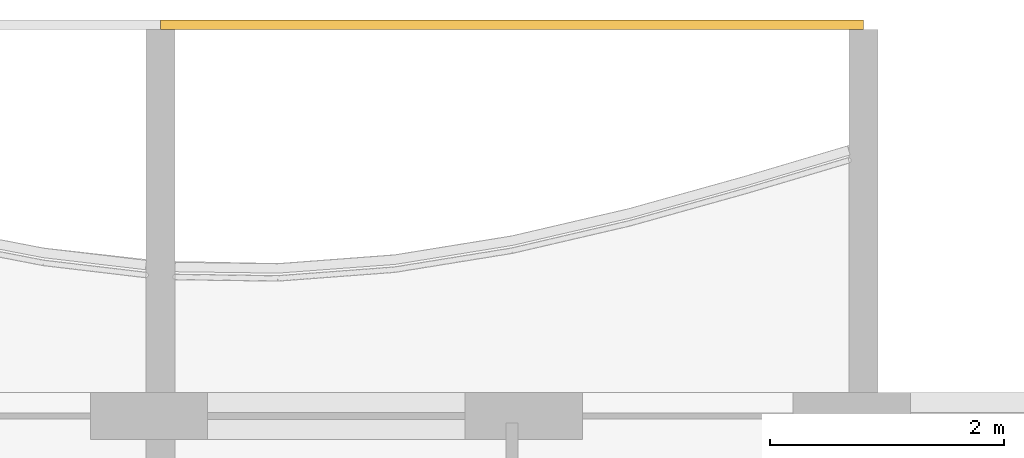
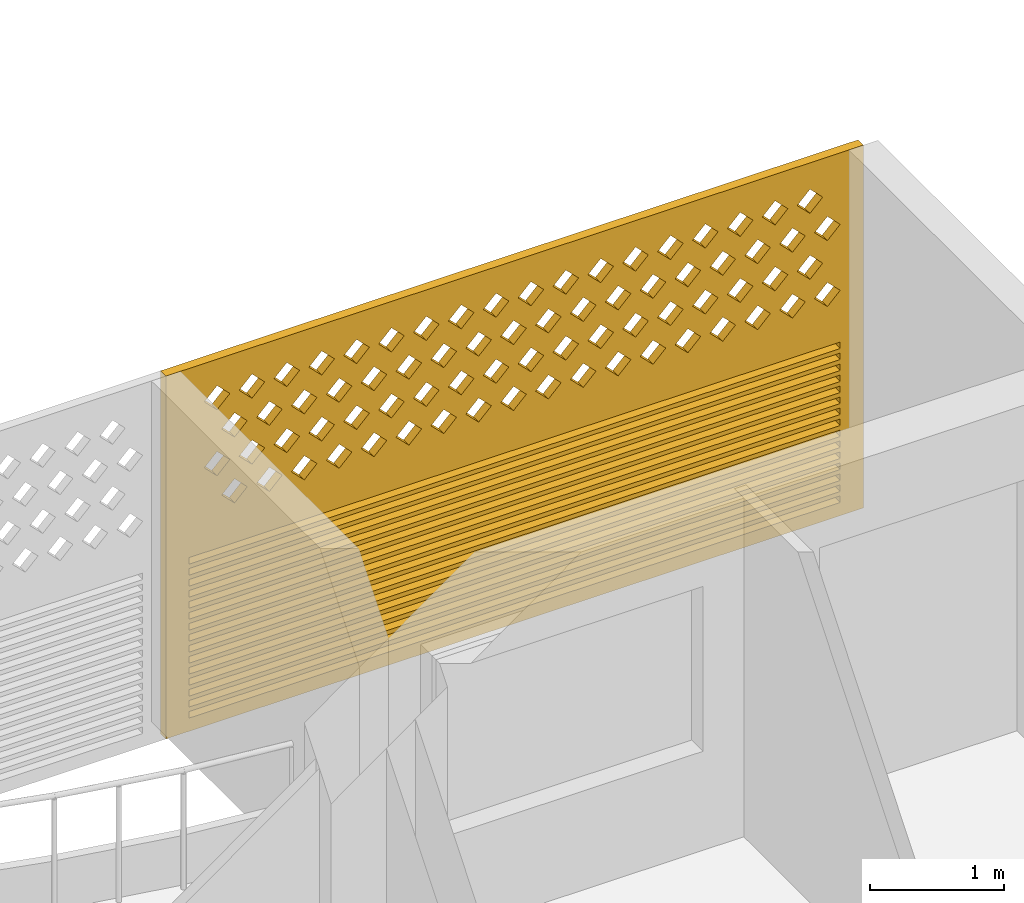
# One storey, part 22 of 26: 1 covering.
"""IFC4 building model written with IfcOpenShell, lengths in metres."""

from ifc_helpers import new_model, si_unit, direction, frame, origin, place, context, subcontext, project, spatial, polyline, outline, extrude, source, transform, mapped, material, material_profile, profile_set, type_object, element, save


model = new_model("IFC4")

# Units and contexts
model_context = context("Model", 3, precision=1e-05, world=origin(), true_north=direction((0.0, 1.0)))
body_context = subcontext(model_context, "Body", "Model", "MODEL_VIEW")
ifc_project = project(units=[si_unit("LENGTHUNIT", "METRE"), si_unit("AREAUNIT", "SQUARE_METRE"), si_unit("VOLUMEUNIT", "CUBIC_METRE"), si_unit("PLANEANGLEUNIT", "RADIAN"), si_unit("MASSUNIT", "GRAM", prefix="KILO")], contexts=[model_context])

# Site, building, storey
site_placement = place(None, origin())
site = spatial("IfcSite", under=ifc_project, at=site_placement, CompositionType="ELEMENT")
building_placement = place(site_placement, origin())
building = spatial("IfcBuilding", under=site, at=building_placement, Name="Poui Terraces", CompositionType="ELEMENT")
storey_placement = place(building_placement, frame((0.0, 0.0, 178.5)))
storey = spatial("IfcBuildingStorey", under=building, at=storey_placement, Name="L49", CompositionType="ELEMENT", Elevation=178.5)

# Covering
ifc_material = material(Name="Terracotta screen", Category="masonry")
ifc_material_profile = material_profile(ifc_material, outline(polyline([(-3.0, -1.64990234375), (3.0, -1.64990234375), (3.0, 1.64990234375), (-3.0, 1.64990234375), (-3.0, -1.64990234375)]), holes=[polyline([(-2.800048828125, 0.39990234375), (-2.68994140625, 0.2900390625), (-2.580078125, 0.39990234375), (-2.68994140625, 0.510009765625), (-2.800048828125, 0.39990234375)]), polyline([(-2.5, 0.39990234375), (-2.389892578125, 0.2900390625), (-2.280029296875, 0.39990234375), (-2.389892578125, 0.510009765625), (-2.5, 0.39990234375)]), polyline([(-2.199951171875, 0.39990234375), (-2.090087890625, 0.2900390625), (-1.97998046875, 0.39990234375), (-2.090087890625, 0.510009765625), (-2.199951171875, 0.39990234375)]), polyline([(-1.89990234375, 0.39990234375), (-1.7900390625, 0.2900390625), (-1.679931640625, 0.39990234375), (-1.7900390625, 0.510009765625), (-1.89990234375, 0.39990234375)]), polyline([(-1.60009765625, 0.39990234375), (-1.489990234375, 0.2900390625), (-1.3798828125, 0.39990234375), (-1.489990234375, 0.510009765625), (-1.60009765625, 0.39990234375)]), polyline([(-1.300048828125, 0.39990234375), (-1.18994140625, 0.2900390625), (-1.080078125, 0.39990234375), (-1.18994140625, 0.510009765625), (-1.300048828125, 0.39990234375)]), polyline([(-1.0, 0.39990234375), (-0.889892578125, 0.2900390625), (-0.780029296875, 0.39990234375), (-0.889892578125, 0.510009765625), (-1.0, 0.39990234375)]), polyline([(-0.699951171875, 0.39990234375), (-0.590087890625, 0.2900390625), (-0.47998046875, 0.39990234375), (-0.590087890625, 0.510009765625), (-0.699951171875, 0.39990234375)]), polyline([(-0.39990234375, 0.39990234375), (-0.2900390625, 0.2900390625), (-0.179931640625, 0.39990234375), (-0.2900390625, 0.510009765625), (-0.39990234375, 0.39990234375)]), polyline([(-0.10009765625, 0.39990234375), (0.010009765625, 0.2900390625), (0.1201171875, 0.39990234375), (0.010009765625, 0.510009765625), (-0.10009765625, 0.39990234375)]), polyline([(0.199951171875, 0.39990234375), (0.31005859375, 0.2900390625), (0.419921875, 0.39990234375), (0.31005859375, 0.510009765625), (0.199951171875, 0.39990234375)]), polyline([(0.5, 0.39990234375), (0.610107421875, 0.2900390625), (0.719970703125, 0.39990234375), (0.610107421875, 0.510009765625), (0.5, 0.39990234375)]), polyline([(0.800048828125, 0.39990234375), (0.909912109375, 0.2900390625), (1.02001953125, 0.39990234375), (0.909912109375, 0.510009765625), (0.800048828125, 0.39990234375)]), polyline([(1.10009765625, 0.39990234375), (1.2099609375, 0.2900390625), (1.320068359375, 0.39990234375), (1.2099609375, 0.510009765625), (1.10009765625, 0.39990234375)]), polyline([(1.39990234375, 0.39990234375), (1.510009765625, 0.2900390625), (1.6201171875, 0.39990234375), (1.510009765625, 0.510009765625), (1.39990234375, 0.39990234375)]), polyline([(1.699951171875, 0.39990234375), (1.81005859375, 0.2900390625), (1.919921875, 0.39990234375), (1.81005859375, 0.510009765625), (1.699951171875, 0.39990234375)]), polyline([(2.0, 0.39990234375), (2.110107421875, 0.2900390625), (2.219970703125, 0.39990234375), (2.110107421875, 0.510009765625), (2.0, 0.39990234375)]), polyline([(2.300048828125, 0.39990234375), (2.409912109375, 0.2900390625), (2.52001953125, 0.39990234375), (2.409912109375, 0.510009765625), (2.300048828125, 0.39990234375)]), polyline([(-2.64990234375, 0.699951171875), (-2.5400390625, 0.590087890625), (-2.429931640625, 0.699951171875), (-2.5400390625, 0.81005859375), (-2.64990234375, 0.699951171875)]), polyline([(-2.35009765625, 0.699951171875), (-2.239990234375, 0.590087890625), (-2.1298828125, 0.699951171875), (-2.239990234375, 0.81005859375), (-2.35009765625, 0.699951171875)]), polyline([(-2.050048828125, 0.699951171875), (-1.93994140625, 0.590087890625), (-1.830078125, 0.699951171875), (-1.93994140625, 0.81005859375), (-2.050048828125, 0.699951171875)]), polyline([(-1.75, 0.699951171875), (-1.639892578125, 0.590087890625), (-1.530029296875, 0.699951171875), (-1.639892578125, 0.81005859375), (-1.75, 0.699951171875)]), polyline([(-1.449951171875, 0.699951171875), (-1.340087890625, 0.590087890625), (-1.22998046875, 0.699951171875), (-1.340087890625, 0.81005859375), (-1.449951171875, 0.699951171875)]), polyline([(-1.14990234375, 0.699951171875), (-1.0400390625, 0.590087890625), (-0.929931640625, 0.699951171875), (-1.0400390625, 0.81005859375), (-1.14990234375, 0.699951171875)]), polyline([(-0.85009765625, 0.699951171875), (-0.739990234375, 0.590087890625), (-0.6298828125, 0.699951171875), (-0.739990234375, 0.81005859375), (-0.85009765625, 0.699951171875)]), polyline([(-0.550048828125, 0.699951171875), (-0.43994140625, 0.590087890625), (-0.330078125, 0.699951171875), (-0.43994140625, 0.81005859375), (-0.550048828125, 0.699951171875)]), polyline([(-0.25, 0.699951171875), (-0.139892578125, 0.590087890625), (-0.030029296875, 0.699951171875), (-0.139892578125, 0.81005859375), (-0.25, 0.699951171875)]), polyline([(0.050048828125, 0.699951171875), (0.159912109375, 0.590087890625), (0.27001953125, 0.699951171875), (0.159912109375, 0.81005859375), (0.050048828125, 0.699951171875)]), polyline([(0.35009765625, 0.699951171875), (0.4599609375, 0.590087890625), (0.570068359375, 0.699951171875), (0.4599609375, 0.81005859375), (0.35009765625, 0.699951171875)]), polyline([(0.64990234375, 0.699951171875), (0.760009765625, 0.590087890625), (0.8701171875, 0.699951171875), (0.760009765625, 0.81005859375), (0.64990234375, 0.699951171875)]), polyline([(0.949951171875, 0.699951171875), (1.06005859375, 0.590087890625), (1.169921875, 0.699951171875), (1.06005859375, 0.81005859375), (0.949951171875, 0.699951171875)]), polyline([(1.25, 0.699951171875), (1.360107421875, 0.590087890625), (1.469970703125, 0.699951171875), (1.360107421875, 0.81005859375), (1.25, 0.699951171875)]), polyline([(1.550048828125, 0.699951171875), (1.659912109375, 0.590087890625), (1.77001953125, 0.699951171875), (1.659912109375, 0.81005859375), (1.550048828125, 0.699951171875)]), polyline([(1.85009765625, 0.699951171875), (1.9599609375, 0.590087890625), (2.070068359375, 0.699951171875), (1.9599609375, 0.81005859375), (1.85009765625, 0.699951171875)]), polyline([(2.14990234375, 0.699951171875), (2.260009765625, 0.590087890625), (2.3701171875, 0.699951171875), (2.260009765625, 0.81005859375), (2.14990234375, 0.699951171875)]), polyline([(2.449951171875, 0.699951171875), (2.56005859375, 0.590087890625), (2.669921875, 0.699951171875), (2.56005859375, 0.81005859375), (2.449951171875, 0.699951171875)]), polyline([(-2.800048828125, 1.0), (-2.68994140625, 0.889892578125), (-2.580078125, 1.0), (-2.68994140625, 1.110107421875), (-2.800048828125, 1.0)]), polyline([(-2.5, 1.0), (-2.389892578125, 0.889892578125), (-2.280029296875, 1.0), (-2.389892578125, 1.110107421875), (-2.5, 1.0)]), polyline([(-2.199951171875, 1.0), (-2.090087890625, 0.889892578125), (-1.97998046875, 1.0), (-2.090087890625, 1.110107421875), (-2.199951171875, 1.0)]), polyline([(-1.89990234375, 1.0), (-1.7900390625, 0.889892578125), (-1.679931640625, 1.0), (-1.7900390625, 1.110107421875), (-1.89990234375, 1.0)]), polyline([(-1.60009765625, 1.0), (-1.489990234375, 0.889892578125), (-1.3798828125, 1.0), (-1.489990234375, 1.110107421875), (-1.60009765625, 1.0)]), polyline([(-1.300048828125, 1.0), (-1.18994140625, 0.889892578125), (-1.080078125, 1.0), (-1.18994140625, 1.110107421875), (-1.300048828125, 1.0)]), polyline([(-1.0, 1.0), (-0.889892578125, 0.889892578125), (-0.780029296875, 1.0), (-0.889892578125, 1.110107421875), (-1.0, 1.0)]), polyline([(-0.699951171875, 1.0), (-0.590087890625, 0.889892578125), (-0.47998046875, 1.0), (-0.590087890625, 1.110107421875), (-0.699951171875, 1.0)]), polyline([(-0.39990234375, 1.0), (-0.2900390625, 0.889892578125), (-0.179931640625, 1.0), (-0.2900390625, 1.110107421875), (-0.39990234375, 1.0)]), polyline([(-0.10009765625, 1.0), (0.010009765625, 0.889892578125), (0.1201171875, 1.0), (0.010009765625, 1.110107421875), (-0.10009765625, 1.0)]), polyline([(0.199951171875, 1.0), (0.31005859375, 0.889892578125), (0.419921875, 1.0), (0.31005859375, 1.110107421875), (0.199951171875, 1.0)]), polyline([(0.5, 1.0), (0.610107421875, 0.889892578125), (0.719970703125, 1.0), (0.610107421875, 1.110107421875), (0.5, 1.0)]), polyline([(0.800048828125, 1.0), (0.909912109375, 0.889892578125), (1.02001953125, 1.0), (0.909912109375, 1.110107421875), (0.800048828125, 1.0)]), polyline([(1.10009765625, 1.0), (1.2099609375, 0.889892578125), (1.320068359375, 1.0), (1.2099609375, 1.110107421875), (1.10009765625, 1.0)]), polyline([(1.39990234375, 1.0), (1.510009765625, 0.889892578125), (1.6201171875, 1.0), (1.510009765625, 1.110107421875), (1.39990234375, 1.0)]), polyline([(1.699951171875, 1.0), (1.81005859375, 0.889892578125), (1.919921875, 1.0), (1.81005859375, 1.110107421875), (1.699951171875, 1.0)]), polyline([(2.0, 1.0), (2.110107421875, 0.889892578125), (2.219970703125, 1.0), (2.110107421875, 1.110107421875), (2.0, 1.0)]), polyline([(2.300048828125, 1.0), (2.409912109375, 0.889892578125), (2.52001953125, 1.0), (2.409912109375, 1.110107421875), (2.300048828125, 1.0)]), polyline([(-2.64990234375, 1.300048828125), (-2.5400390625, 1.18994140625), (-2.429931640625, 1.300048828125), (-2.5400390625, 1.409912109375), (-2.64990234375, 1.300048828125)]), polyline([(-2.35009765625, 1.300048828125), (-2.239990234375, 1.18994140625), (-2.1298828125, 1.300048828125), (-2.239990234375, 1.409912109375), (-2.35009765625, 1.300048828125)]), polyline([(-2.050048828125, 1.300048828125), (-1.93994140625, 1.18994140625), (-1.830078125, 1.300048828125), (-1.93994140625, 1.409912109375), (-2.050048828125, 1.300048828125)]), polyline([(-1.75, 1.300048828125), (-1.639892578125, 1.18994140625), (-1.530029296875, 1.300048828125), (-1.639892578125, 1.409912109375), (-1.75, 1.300048828125)]), polyline([(-1.449951171875, 1.300048828125), (-1.340087890625, 1.18994140625), (-1.22998046875, 1.300048828125), (-1.340087890625, 1.409912109375), (-1.449951171875, 1.300048828125)]), polyline([(-1.14990234375, 1.300048828125), (-1.0400390625, 1.18994140625), (-0.929931640625, 1.300048828125), (-1.0400390625, 1.409912109375), (-1.14990234375, 1.300048828125)]), polyline([(-0.85009765625, 1.300048828125), (-0.739990234375, 1.18994140625), (-0.6298828125, 1.300048828125), (-0.739990234375, 1.409912109375), (-0.85009765625, 1.300048828125)]), polyline([(-0.550048828125, 1.300048828125), (-0.43994140625, 1.18994140625), (-0.330078125, 1.300048828125), (-0.43994140625, 1.409912109375), (-0.550048828125, 1.300048828125)]), polyline([(-0.25, 1.300048828125), (-0.139892578125, 1.18994140625), (-0.030029296875, 1.300048828125), (-0.139892578125, 1.409912109375), (-0.25, 1.300048828125)]), polyline([(0.050048828125, 1.300048828125), (0.159912109375, 1.18994140625), (0.27001953125, 1.300048828125), (0.159912109375, 1.409912109375), (0.050048828125, 1.300048828125)]), polyline([(0.35009765625, 1.300048828125), (0.4599609375, 1.18994140625), (0.570068359375, 1.300048828125), (0.4599609375, 1.409912109375), (0.35009765625, 1.300048828125)]), polyline([(0.64990234375, 1.300048828125), (0.760009765625, 1.18994140625), (0.8701171875, 1.300048828125), (0.760009765625, 1.409912109375), (0.64990234375, 1.300048828125)]), polyline([(0.949951171875, 1.300048828125), (1.06005859375, 1.18994140625), (1.169921875, 1.300048828125), (1.06005859375, 1.409912109375), (0.949951171875, 1.300048828125)]), polyline([(1.25, 1.300048828125), (1.360107421875, 1.18994140625), (1.469970703125, 1.300048828125), (1.360107421875, 1.409912109375), (1.25, 1.300048828125)]), polyline([(1.550048828125, 1.300048828125), (1.659912109375, 1.18994140625), (1.77001953125, 1.300048828125), (1.659912109375, 1.409912109375), (1.550048828125, 1.300048828125)]), polyline([(1.85009765625, 1.300048828125), (1.9599609375, 1.18994140625), (2.070068359375, 1.300048828125), (1.9599609375, 1.409912109375), (1.85009765625, 1.300048828125)]), polyline([(2.14990234375, 1.300048828125), (2.260009765625, 1.18994140625), (2.3701171875, 1.300048828125), (2.260009765625, 1.409912109375), (2.14990234375, 1.300048828125)]), polyline([(2.449951171875, 1.300048828125), (2.56005859375, 1.18994140625), (2.669921875, 1.300048828125), (2.56005859375, 1.409912109375), (2.449951171875, 1.300048828125)]), polyline([(-2.800048828125, -1.530029296875), (2.800048828125, -1.530029296875), (2.800048828125, -1.469970703125), (-2.800048828125, -1.469970703125), (-2.800048828125, -1.530029296875)]), polyline([(-2.800048828125, -1.429931640625), (2.800048828125, -1.429931640625), (2.800048828125, -1.3701171875), (-2.800048828125, -1.3701171875), (-2.800048828125, -1.429931640625)]), polyline([(-2.800048828125, -1.330078125), (2.800048828125, -1.330078125), (2.800048828125, -1.27001953125), (-2.800048828125, -1.27001953125), (-2.800048828125, -1.330078125)]), polyline([(-2.800048828125, -1.22998046875), (2.800048828125, -1.22998046875), (2.800048828125, -1.169921875), (-2.800048828125, -1.169921875), (-2.800048828125, -1.22998046875)]), polyline([(-2.800048828125, -1.1298828125), (2.800048828125, -1.1298828125), (2.800048828125, -1.070068359375), (-2.800048828125, -1.070068359375), (-2.800048828125, -1.1298828125)]), polyline([(-2.800048828125, -1.030029296875), (2.800048828125, -1.030029296875), (2.800048828125, -0.969970703125), (-2.800048828125, -0.969970703125), (-2.800048828125, -1.030029296875)]), polyline([(-2.800048828125, -0.929931640625), (2.800048828125, -0.929931640625), (2.800048828125, -0.8701171875), (-2.800048828125, -0.8701171875), (-2.800048828125, -0.929931640625)]), polyline([(-2.800048828125, -0.830078125), (2.800048828125, -0.830078125), (2.800048828125, -0.77001953125), (-2.800048828125, -0.77001953125), (-2.800048828125, -0.830078125)]), polyline([(-2.800048828125, -0.72998046875), (2.800048828125, -0.72998046875), (2.800048828125, -0.669921875), (-2.800048828125, -0.669921875), (-2.800048828125, -0.72998046875)]), polyline([(-2.800048828125, -0.6298828125), (2.800048828125, -0.6298828125), (2.800048828125, -0.570068359375), (-2.800048828125, -0.570068359375), (-2.800048828125, -0.6298828125)]), polyline([(-2.800048828125, -0.530029296875), (2.800048828125, -0.530029296875), (2.800048828125, -0.469970703125), (-2.800048828125, -0.469970703125), (-2.800048828125, -0.530029296875)]), polyline([(-2.800048828125, -0.429931640625), (2.800048828125, -0.429931640625), (2.800048828125, -0.3701171875), (-2.800048828125, -0.3701171875), (-2.800048828125, -0.429931640625)]), polyline([(-2.800048828125, -0.330078125), (2.800048828125, -0.330078125), (2.800048828125, -0.27001953125), (-2.800048828125, -0.27001953125), (-2.800048828125, -0.330078125)]), polyline([(-2.800048828125, -0.22998046875), (2.800048828125, -0.22998046875), (2.800048828125, -0.169921875), (-2.800048828125, -0.169921875), (-2.800048828125, -0.22998046875)]), polyline([(-2.800048828125, -0.1298828125), (2.800048828125, -0.1298828125), (2.800048828125, -0.070068359375), (-2.800048828125, -0.070068359375), (-2.800048828125, -0.1298828125)])]), Name="TERRACOTTA SCREEN AND JALOUSIE LOUVRE 6000X3300")
ifc_profile_set = profile_set([ifc_material_profile], Name="Terracotta screen")
covering_type = type_object("IfcCoveringType", Name="TERRACOTTA SCREEN AND JALOUSIE LOUVRE 6000X3300", PredefinedType="CLADDING", material=ifc_profile_set)
shared_shape = source(origin(), body_context, "Body", "SweptSolid", [
    extrude(outline(polyline([(-3.0, -1.64990234375), (3.0, -1.64990234375), (3.0, 1.64990234375), (-3.0, 1.64990234375), (-3.0, -1.64990234375)]), holes=[polyline([(-2.800048828125, 0.39990234375), (-2.68994140625, 0.2900390625), (-2.580078125, 0.39990234375), (-2.68994140625, 0.510009765625), (-2.800048828125, 0.39990234375)]), polyline([(-2.5, 0.39990234375), (-2.389892578125, 0.2900390625), (-2.280029296875, 0.39990234375), (-2.389892578125, 0.510009765625), (-2.5, 0.39990234375)]), polyline([(-2.199951171875, 0.39990234375), (-2.090087890625, 0.2900390625), (-1.97998046875, 0.39990234375), (-2.090087890625, 0.510009765625), (-2.199951171875, 0.39990234375)]), polyline([(-1.89990234375, 0.39990234375), (-1.7900390625, 0.2900390625), (-1.679931640625, 0.39990234375), (-1.7900390625, 0.510009765625), (-1.89990234375, 0.39990234375)]), polyline([(-1.60009765625, 0.39990234375), (-1.489990234375, 0.2900390625), (-1.3798828125, 0.39990234375), (-1.489990234375, 0.510009765625), (-1.60009765625, 0.39990234375)]), polyline([(-1.300048828125, 0.39990234375), (-1.18994140625, 0.2900390625), (-1.080078125, 0.39990234375), (-1.18994140625, 0.510009765625), (-1.300048828125, 0.39990234375)]), polyline([(-1.0, 0.39990234375), (-0.889892578125, 0.2900390625), (-0.780029296875, 0.39990234375), (-0.889892578125, 0.510009765625), (-1.0, 0.39990234375)]), polyline([(-0.699951171875, 0.39990234375), (-0.590087890625, 0.2900390625), (-0.47998046875, 0.39990234375), (-0.590087890625, 0.510009765625), (-0.699951171875, 0.39990234375)]), polyline([(-0.39990234375, 0.39990234375), (-0.2900390625, 0.2900390625), (-0.179931640625, 0.39990234375), (-0.2900390625, 0.510009765625), (-0.39990234375, 0.39990234375)]), polyline([(-0.10009765625, 0.39990234375), (0.010009765625, 0.2900390625), (0.1201171875, 0.39990234375), (0.010009765625, 0.510009765625), (-0.10009765625, 0.39990234375)]), polyline([(0.199951171875, 0.39990234375), (0.31005859375, 0.2900390625), (0.419921875, 0.39990234375), (0.31005859375, 0.510009765625), (0.199951171875, 0.39990234375)]), polyline([(0.5, 0.39990234375), (0.610107421875, 0.2900390625), (0.719970703125, 0.39990234375), (0.610107421875, 0.510009765625), (0.5, 0.39990234375)]), polyline([(0.800048828125, 0.39990234375), (0.909912109375, 0.2900390625), (1.02001953125, 0.39990234375), (0.909912109375, 0.510009765625), (0.800048828125, 0.39990234375)]), polyline([(1.10009765625, 0.39990234375), (1.2099609375, 0.2900390625), (1.320068359375, 0.39990234375), (1.2099609375, 0.510009765625), (1.10009765625, 0.39990234375)]), polyline([(1.39990234375, 0.39990234375), (1.510009765625, 0.2900390625), (1.6201171875, 0.39990234375), (1.510009765625, 0.510009765625), (1.39990234375, 0.39990234375)]), polyline([(1.699951171875, 0.39990234375), (1.81005859375, 0.2900390625), (1.919921875, 0.39990234375), (1.81005859375, 0.510009765625), (1.699951171875, 0.39990234375)]), polyline([(2.0, 0.39990234375), (2.110107421875, 0.2900390625), (2.219970703125, 0.39990234375), (2.110107421875, 0.510009765625), (2.0, 0.39990234375)]), polyline([(2.300048828125, 0.39990234375), (2.409912109375, 0.2900390625), (2.52001953125, 0.39990234375), (2.409912109375, 0.510009765625), (2.300048828125, 0.39990234375)]), polyline([(-2.64990234375, 0.699951171875), (-2.5400390625, 0.590087890625), (-2.429931640625, 0.699951171875), (-2.5400390625, 0.81005859375), (-2.64990234375, 0.699951171875)]), polyline([(-2.35009765625, 0.699951171875), (-2.239990234375, 0.590087890625), (-2.1298828125, 0.699951171875), (-2.239990234375, 0.81005859375), (-2.35009765625, 0.699951171875)]), polyline([(-2.050048828125, 0.699951171875), (-1.93994140625, 0.590087890625), (-1.830078125, 0.699951171875), (-1.93994140625, 0.81005859375), (-2.050048828125, 0.699951171875)]), polyline([(-1.75, 0.699951171875), (-1.639892578125, 0.590087890625), (-1.530029296875, 0.699951171875), (-1.639892578125, 0.81005859375), (-1.75, 0.699951171875)]), polyline([(-1.449951171875, 0.699951171875), (-1.340087890625, 0.590087890625), (-1.22998046875, 0.699951171875), (-1.340087890625, 0.81005859375), (-1.449951171875, 0.699951171875)]), polyline([(-1.14990234375, 0.699951171875), (-1.0400390625, 0.590087890625), (-0.929931640625, 0.699951171875), (-1.0400390625, 0.81005859375), (-1.14990234375, 0.699951171875)]), polyline([(-0.85009765625, 0.699951171875), (-0.739990234375, 0.590087890625), (-0.6298828125, 0.699951171875), (-0.739990234375, 0.81005859375), (-0.85009765625, 0.699951171875)]), polyline([(-0.550048828125, 0.699951171875), (-0.43994140625, 0.590087890625), (-0.330078125, 0.699951171875), (-0.43994140625, 0.81005859375), (-0.550048828125, 0.699951171875)]), polyline([(-0.25, 0.699951171875), (-0.139892578125, 0.590087890625), (-0.030029296875, 0.699951171875), (-0.139892578125, 0.81005859375), (-0.25, 0.699951171875)]), polyline([(0.050048828125, 0.699951171875), (0.159912109375, 0.590087890625), (0.27001953125, 0.699951171875), (0.159912109375, 0.81005859375), (0.050048828125, 0.699951171875)]), polyline([(0.35009765625, 0.699951171875), (0.4599609375, 0.590087890625), (0.570068359375, 0.699951171875), (0.4599609375, 0.81005859375), (0.35009765625, 0.699951171875)]), polyline([(0.64990234375, 0.699951171875), (0.760009765625, 0.590087890625), (0.8701171875, 0.699951171875), (0.760009765625, 0.81005859375), (0.64990234375, 0.699951171875)]), polyline([(0.949951171875, 0.699951171875), (1.06005859375, 0.590087890625), (1.169921875, 0.699951171875), (1.06005859375, 0.81005859375), (0.949951171875, 0.699951171875)]), polyline([(1.25, 0.699951171875), (1.360107421875, 0.590087890625), (1.469970703125, 0.699951171875), (1.360107421875, 0.81005859375), (1.25, 0.699951171875)]), polyline([(1.550048828125, 0.699951171875), (1.659912109375, 0.590087890625), (1.77001953125, 0.699951171875), (1.659912109375, 0.81005859375), (1.550048828125, 0.699951171875)]), polyline([(1.85009765625, 0.699951171875), (1.9599609375, 0.590087890625), (2.070068359375, 0.699951171875), (1.9599609375, 0.81005859375), (1.85009765625, 0.699951171875)]), polyline([(2.14990234375, 0.699951171875), (2.260009765625, 0.590087890625), (2.3701171875, 0.699951171875), (2.260009765625, 0.81005859375), (2.14990234375, 0.699951171875)]), polyline([(2.449951171875, 0.699951171875), (2.56005859375, 0.590087890625), (2.669921875, 0.699951171875), (2.56005859375, 0.81005859375), (2.449951171875, 0.699951171875)]), polyline([(-2.800048828125, 1.0), (-2.68994140625, 0.889892578125), (-2.580078125, 1.0), (-2.68994140625, 1.110107421875), (-2.800048828125, 1.0)]), polyline([(-2.5, 1.0), (-2.389892578125, 0.889892578125), (-2.280029296875, 1.0), (-2.389892578125, 1.110107421875), (-2.5, 1.0)]), polyline([(-2.199951171875, 1.0), (-2.090087890625, 0.889892578125), (-1.97998046875, 1.0), (-2.090087890625, 1.110107421875), (-2.199951171875, 1.0)]), polyline([(-1.89990234375, 1.0), (-1.7900390625, 0.889892578125), (-1.679931640625, 1.0), (-1.7900390625, 1.110107421875), (-1.89990234375, 1.0)]), polyline([(-1.60009765625, 1.0), (-1.489990234375, 0.889892578125), (-1.3798828125, 1.0), (-1.489990234375, 1.110107421875), (-1.60009765625, 1.0)]), polyline([(-1.300048828125, 1.0), (-1.18994140625, 0.889892578125), (-1.080078125, 1.0), (-1.18994140625, 1.110107421875), (-1.300048828125, 1.0)]), polyline([(-1.0, 1.0), (-0.889892578125, 0.889892578125), (-0.780029296875, 1.0), (-0.889892578125, 1.110107421875), (-1.0, 1.0)]), polyline([(-0.699951171875, 1.0), (-0.590087890625, 0.889892578125), (-0.47998046875, 1.0), (-0.590087890625, 1.110107421875), (-0.699951171875, 1.0)]), polyline([(-0.39990234375, 1.0), (-0.2900390625, 0.889892578125), (-0.179931640625, 1.0), (-0.2900390625, 1.110107421875), (-0.39990234375, 1.0)]), polyline([(-0.10009765625, 1.0), (0.010009765625, 0.889892578125), (0.1201171875, 1.0), (0.010009765625, 1.110107421875), (-0.10009765625, 1.0)]), polyline([(0.199951171875, 1.0), (0.31005859375, 0.889892578125), (0.419921875, 1.0), (0.31005859375, 1.110107421875), (0.199951171875, 1.0)]), polyline([(0.5, 1.0), (0.610107421875, 0.889892578125), (0.719970703125, 1.0), (0.610107421875, 1.110107421875), (0.5, 1.0)]), polyline([(0.800048828125, 1.0), (0.909912109375, 0.889892578125), (1.02001953125, 1.0), (0.909912109375, 1.110107421875), (0.800048828125, 1.0)]), polyline([(1.10009765625, 1.0), (1.2099609375, 0.889892578125), (1.320068359375, 1.0), (1.2099609375, 1.110107421875), (1.10009765625, 1.0)]), polyline([(1.39990234375, 1.0), (1.510009765625, 0.889892578125), (1.6201171875, 1.0), (1.510009765625, 1.110107421875), (1.39990234375, 1.0)]), polyline([(1.699951171875, 1.0), (1.81005859375, 0.889892578125), (1.919921875, 1.0), (1.81005859375, 1.110107421875), (1.699951171875, 1.0)]), polyline([(2.0, 1.0), (2.110107421875, 0.889892578125), (2.219970703125, 1.0), (2.110107421875, 1.110107421875), (2.0, 1.0)]), polyline([(2.300048828125, 1.0), (2.409912109375, 0.889892578125), (2.52001953125, 1.0), (2.409912109375, 1.110107421875), (2.300048828125, 1.0)]), polyline([(-2.64990234375, 1.300048828125), (-2.5400390625, 1.18994140625), (-2.429931640625, 1.300048828125), (-2.5400390625, 1.409912109375), (-2.64990234375, 1.300048828125)]), polyline([(-2.35009765625, 1.300048828125), (-2.239990234375, 1.18994140625), (-2.1298828125, 1.300048828125), (-2.239990234375, 1.409912109375), (-2.35009765625, 1.300048828125)]), polyline([(-2.050048828125, 1.300048828125), (-1.93994140625, 1.18994140625), (-1.830078125, 1.300048828125), (-1.93994140625, 1.409912109375), (-2.050048828125, 1.300048828125)]), polyline([(-1.75, 1.300048828125), (-1.639892578125, 1.18994140625), (-1.530029296875, 1.300048828125), (-1.639892578125, 1.409912109375), (-1.75, 1.300048828125)]), polyline([(-1.449951171875, 1.300048828125), (-1.340087890625, 1.18994140625), (-1.22998046875, 1.300048828125), (-1.340087890625, 1.409912109375), (-1.449951171875, 1.300048828125)]), polyline([(-1.14990234375, 1.300048828125), (-1.0400390625, 1.18994140625), (-0.929931640625, 1.300048828125), (-1.0400390625, 1.409912109375), (-1.14990234375, 1.300048828125)]), polyline([(-0.85009765625, 1.300048828125), (-0.739990234375, 1.18994140625), (-0.6298828125, 1.300048828125), (-0.739990234375, 1.409912109375), (-0.85009765625, 1.300048828125)]), polyline([(-0.550048828125, 1.300048828125), (-0.43994140625, 1.18994140625), (-0.330078125, 1.300048828125), (-0.43994140625, 1.409912109375), (-0.550048828125, 1.300048828125)]), polyline([(-0.25, 1.300048828125), (-0.139892578125, 1.18994140625), (-0.030029296875, 1.300048828125), (-0.139892578125, 1.409912109375), (-0.25, 1.300048828125)]), polyline([(0.050048828125, 1.300048828125), (0.159912109375, 1.18994140625), (0.27001953125, 1.300048828125), (0.159912109375, 1.409912109375), (0.050048828125, 1.300048828125)]), polyline([(0.35009765625, 1.300048828125), (0.4599609375, 1.18994140625), (0.570068359375, 1.300048828125), (0.4599609375, 1.409912109375), (0.35009765625, 1.300048828125)]), polyline([(0.64990234375, 1.300048828125), (0.760009765625, 1.18994140625), (0.8701171875, 1.300048828125), (0.760009765625, 1.409912109375), (0.64990234375, 1.300048828125)]), polyline([(0.949951171875, 1.300048828125), (1.06005859375, 1.18994140625), (1.169921875, 1.300048828125), (1.06005859375, 1.409912109375), (0.949951171875, 1.300048828125)]), polyline([(1.25, 1.300048828125), (1.360107421875, 1.18994140625), (1.469970703125, 1.300048828125), (1.360107421875, 1.409912109375), (1.25, 1.300048828125)]), polyline([(1.550048828125, 1.300048828125), (1.659912109375, 1.18994140625), (1.77001953125, 1.300048828125), (1.659912109375, 1.409912109375), (1.550048828125, 1.300048828125)]), polyline([(1.85009765625, 1.300048828125), (1.9599609375, 1.18994140625), (2.070068359375, 1.300048828125), (1.9599609375, 1.409912109375), (1.85009765625, 1.300048828125)]), polyline([(2.14990234375, 1.300048828125), (2.260009765625, 1.18994140625), (2.3701171875, 1.300048828125), (2.260009765625, 1.409912109375), (2.14990234375, 1.300048828125)]), polyline([(2.449951171875, 1.300048828125), (2.56005859375, 1.18994140625), (2.669921875, 1.300048828125), (2.56005859375, 1.409912109375), (2.449951171875, 1.300048828125)]), polyline([(-2.800048828125, -1.530029296875), (2.800048828125, -1.530029296875), (2.800048828125, -1.469970703125), (-2.800048828125, -1.469970703125), (-2.800048828125, -1.530029296875)]), polyline([(-2.800048828125, -1.429931640625), (2.800048828125, -1.429931640625), (2.800048828125, -1.3701171875), (-2.800048828125, -1.3701171875), (-2.800048828125, -1.429931640625)]), polyline([(-2.800048828125, -1.330078125), (2.800048828125, -1.330078125), (2.800048828125, -1.27001953125), (-2.800048828125, -1.27001953125), (-2.800048828125, -1.330078125)]), polyline([(-2.800048828125, -1.22998046875), (2.800048828125, -1.22998046875), (2.800048828125, -1.169921875), (-2.800048828125, -1.169921875), (-2.800048828125, -1.22998046875)]), polyline([(-2.800048828125, -1.1298828125), (2.800048828125, -1.1298828125), (2.800048828125, -1.070068359375), (-2.800048828125, -1.070068359375), (-2.800048828125, -1.1298828125)]), polyline([(-2.800048828125, -1.030029296875), (2.800048828125, -1.030029296875), (2.800048828125, -0.969970703125), (-2.800048828125, -0.969970703125), (-2.800048828125, -1.030029296875)]), polyline([(-2.800048828125, -0.929931640625), (2.800048828125, -0.929931640625), (2.800048828125, -0.8701171875), (-2.800048828125, -0.8701171875), (-2.800048828125, -0.929931640625)]), polyline([(-2.800048828125, -0.830078125), (2.800048828125, -0.830078125), (2.800048828125, -0.77001953125), (-2.800048828125, -0.77001953125), (-2.800048828125, -0.830078125)]), polyline([(-2.800048828125, -0.72998046875), (2.800048828125, -0.72998046875), (2.800048828125, -0.669921875), (-2.800048828125, -0.669921875), (-2.800048828125, -0.72998046875)]), polyline([(-2.800048828125, -0.6298828125), (2.800048828125, -0.6298828125), (2.800048828125, -0.570068359375), (-2.800048828125, -0.570068359375), (-2.800048828125, -0.6298828125)]), polyline([(-2.800048828125, -0.530029296875), (2.800048828125, -0.530029296875), (2.800048828125, -0.469970703125), (-2.800048828125, -0.469970703125), (-2.800048828125, -0.530029296875)]), polyline([(-2.800048828125, -0.429931640625), (2.800048828125, -0.429931640625), (2.800048828125, -0.3701171875), (-2.800048828125, -0.3701171875), (-2.800048828125, -0.429931640625)]), polyline([(-2.800048828125, -0.330078125), (2.800048828125, -0.330078125), (2.800048828125, -0.27001953125), (-2.800048828125, -0.27001953125), (-2.800048828125, -0.330078125)]), polyline([(-2.800048828125, -0.22998046875), (2.800048828125, -0.22998046875), (2.800048828125, -0.169921875), (-2.800048828125, -0.169921875), (-2.800048828125, -0.22998046875)]), polyline([(-2.800048828125, -0.1298828125), (2.800048828125, -0.1298828125), (2.800048828125, -0.070068359375), (-2.800048828125, -0.070068359375), (-2.800048828125, -0.1298828125)])]), origin(), (0.0, 0.0, 1.0), 0.080078125),
])
covering_placement = place(storey_placement, frame((57.0, 44.5, 1.449951171875), z_axis=(0.0, 1.0, 0.0), x_axis=(-1.0, 0.0, 0.0)))
element("IfcCovering", 1, at=covering_placement, inside=storey, type_object=covering_type, Name="SOLAR SCREEN AND JALOUSIE LOUVRE", PredefinedType="CLADDING", context=body_context, shape_type="MappedRepresentation", body=[
    mapped(shared_shape, transform((0.0, 0.0, 0.0))),
])

save(model, "model.ifc")
